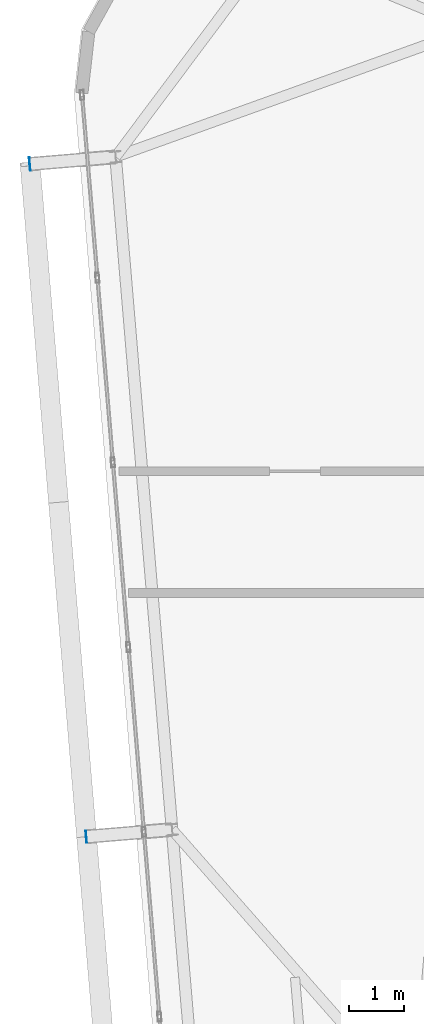
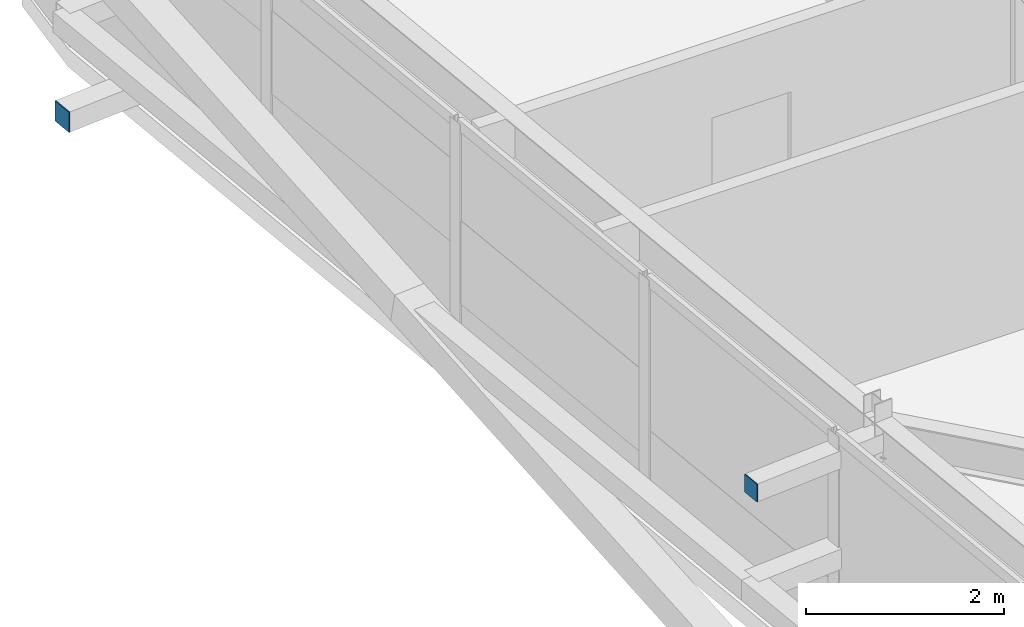
# One storey, part 36 of 46: 2 plates.
"""IFC4 building model written with IfcOpenShell, lengths in metres."""

from ifc_helpers import new_model, si_unit, direction, frame, origin, origin_2d, place, context, subcontext, project, spatial, rectangle, extrude, source, transform, mapped, material, layer, layer_set, type_object, element, save


model = new_model("IFC4")

# Units and contexts
model_context = context("Model", 3, precision=1e-05, world=origin(), true_north=direction((0.0, 1.0)))
body_context = subcontext(model_context, "Body", "Model", "MODEL_VIEW")
ifc_project = project(units=[si_unit("LENGTHUNIT", "METRE"), si_unit("AREAUNIT", "SQUARE_METRE"), si_unit("VOLUMEUNIT", "CUBIC_METRE"), si_unit("PLANEANGLEUNIT", "RADIAN"), si_unit("MASSUNIT", "GRAM", prefix="KILO")], contexts=[model_context])

# Site, building, storey
site_placement = place(None, origin())
site = spatial("IfcSite", under=ifc_project, at=site_placement, CompositionType="ELEMENT")
building_placement = place(site_placement, origin())
building = spatial("IfcBuilding", under=site, at=building_placement, Name="Taldren Reach Tower", CompositionType="ELEMENT")
storey_placement = place(building_placement, frame((0.0, 0.0, 188.300048828125)))
storey = spatial("IfcBuildingStorey", under=building, at=storey_placement, Name="L57", CompositionType="ELEMENT", Elevation=188.300048828125)

# Plates
ifc_material_1 = material(Name="Steel Gr 350 (C350L0)", Category="steel")
ifc_layer_1 = layer(ifc_material_1, 0.011962890625)
ifc_layer_set_1 = layer_set([ifc_layer_1], Name="Steel Gr 350 (C350L0)")
plate_type_1 = type_object("IfcPlateType", Name="PL-CAP-250", PredefinedType="SHEET", material=ifc_layer_set_1)
shared_shape_1 = source(origin(), body_context, "Body", "SweptSolid", [
    extrude(rectangle(XDim=0.011962890625, YDim=0.25, at=origin_2d()), origin(), (0.0, 0.0, 1.0), 0.25),
])
plate_1_placement = place(storey_placement, frame((11.011474609375, 29.55224609375, 0.094970703125), z_axis=(0.0, 0.0, 1.0), x_axis=(0.99649285925, 0.083677843332, 0.0)))
element("IfcPlate", 1, at=plate_1_placement, inside=storey, type_object=plate_type_1, Name="Tie strut end cap plate B4-W3 L57", PredefinedType="SHEET", context=body_context, shape_type="MappedRepresentation", body=[
    mapped(shared_shape_1, transform((0.0, 0.0, 0.0), scale=1.0)),
])
ifc_material_2 = material(Name="Steel Gr 450 (C450L0)", Category="steel")
ifc_layer_2 = layer(ifc_material_2, 0.011962890625)
ifc_layer_set_2 = layer_set([ifc_layer_2], Name="Steel Gr 450 (C450L0)")
plate_type_2 = type_object("IfcPlateType", Name="PL-CAP-220", PredefinedType="SHEET", material=ifc_layer_set_2)
shared_shape_2 = source(origin(), body_context, "Body", "SweptSolid", [
    extrude(rectangle(XDim=0.011962890625, YDim=0.219970703125, at=origin_2d()), origin(), (0.0, 0.0, 1.0), 0.219970703125),
])
plate_2_placement = place(storey_placement, frame((12.0322265625, 17.39501953125, 2.5400390625), z_axis=(0.0, 0.0, 1.0), x_axis=(0.99649285925, 0.083677843332, 0.0)))
element("IfcPlate", 2, at=plate_2_placement, inside=storey, type_object=plate_type_2, Name="Tie strut end cap plate B4-W2 L57", PredefinedType="SHEET", context=body_context, shape_type="MappedRepresentation", body=[
    mapped(shared_shape_2, transform((0.0, 0.0, 0.0), scale=1.0)),
])

save(model, "model.ifc")
